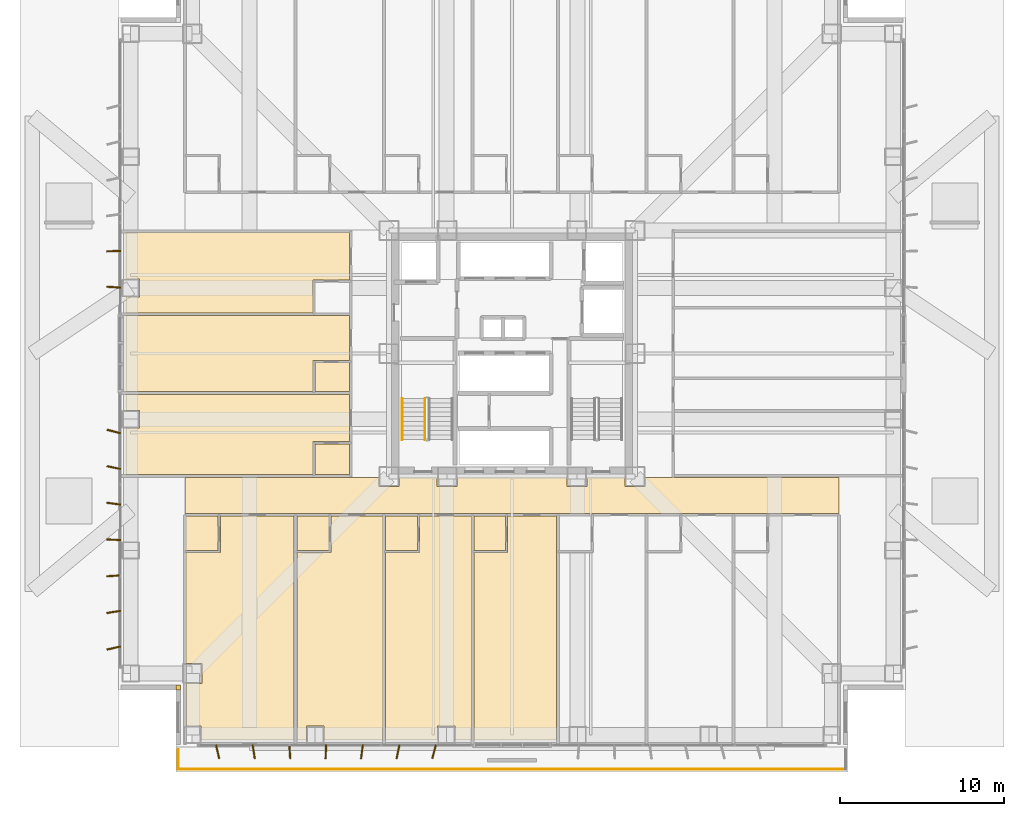
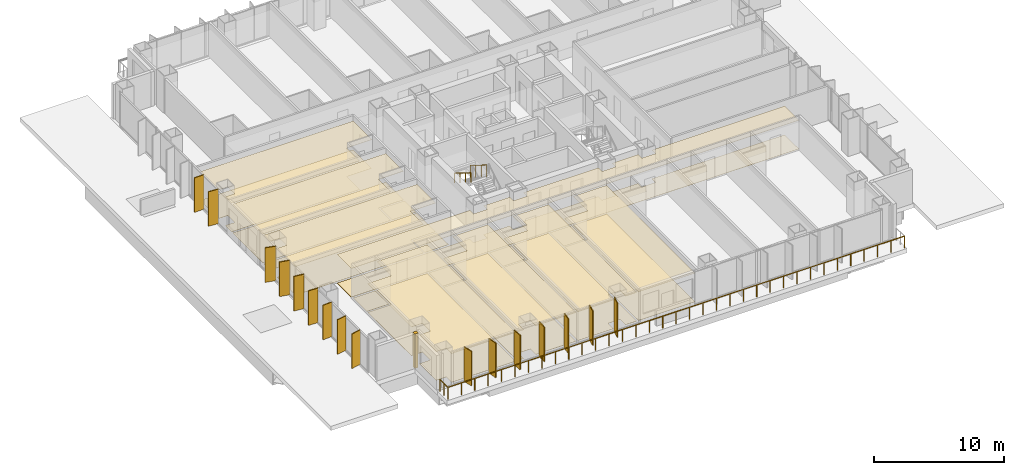
# One storey, part 20 of 24: 23 coverings, 16 shading devices, 4 railings.
"""IFC4 building model written with IfcOpenShell, lengths in metres."""

from ifc_helpers import new_model, si_unit, direction, frame, origin, origin_2d, place, context, subcontext, project, spatial, polyline, rectangle, circle, outline, extrude, material, layer, layer_set, type_object, element, save


model = new_model("IFC4")

# Units and contexts
model_context = context("Model", 3, precision=1e-05, world=origin(), true_north=direction((0.0, 1.0)))
body_context = subcontext(model_context, "Body", "Model", "MODEL_VIEW")
ifc_project = project(units=[si_unit("LENGTHUNIT", "METRE"), si_unit("AREAUNIT", "SQUARE_METRE"), si_unit("VOLUMEUNIT", "CUBIC_METRE"), si_unit("PLANEANGLEUNIT", "RADIAN"), si_unit("MASSUNIT", "GRAM", prefix="KILO")], contexts=[model_context])

# Site, building, storey
site_placement = place(None, origin())
site = spatial("IfcSite", under=ifc_project, at=site_placement, CompositionType="ELEMENT")
building_placement = place(site_placement, origin())
building = spatial("IfcBuilding", under=site, at=building_placement, Name="Trevonay Congress Spire", CompositionType="ELEMENT")
storey_placement = place(building_placement, frame((0.0, 0.0, 27.0)))
storey = spatial("IfcBuildingStorey", under=building, at=storey_placement, Name="L05", CompositionType="ELEMENT", Elevation=27.0)

# Coverings
ifc_material_1 = material(Name="Acoustic Mineral Fibre Board", Category="gypsum")
ifc_layer_1 = layer(ifc_material_1, 0.02490234375, Name="Acoustic Mineral Fibre Board")
ifc_layer_set_1 = layer_set([ifc_layer_1], Name="Acoustic Mineral Fibre Board")
covering_type_1 = type_object("IfcCoveringType", Name="COV-CEIL-ACOUSTIC", PredefinedType="CEILING", material=ifc_layer_set_1)
covering_1_placement = place(storey_placement, frame((0.0, 0.0, 2.699951171875)))
element("IfcCovering", 1, at=covering_1_placement, inside=storey, type_object=covering_type_1, Name="L05 Hotel Floor Corridor South acoustic suspended ceiling", PredefinedType="CEILING", context=body_context, shape_type="SweptSolid", body=[
    extrude(outline(polyline([(19.949951171875, -7.550048828125), (19.949951171875, -9.75), (-19.949951171875, -9.75), (-19.949951171875, -7.550048828125), (-8.110107421875, -7.550048828125), (-8.110107421875, -8.110107421875), (-6.889892578125, -8.110107421875), (-6.889892578125, -7.550048828125), (-4.56005859375, -7.550048828125), (-4.56005859375, -8.110107421875), (-3.340087890625, -8.110107421875), (-3.340087890625, -7.550048828125), (3.340087890625, -7.550048828125), (3.340087890625, -8.110107421875), (4.56005859375, -8.110107421875), (4.56005859375, -7.550048828125), (6.889892578125, -7.550048828125), (6.889892578125, -8.110107421875), (8.110107421875, -8.110107421875), (8.110107421875, -7.550048828125), (19.949951171875, -7.550048828125)])), origin(), (0.0, 0.0, 1.0), 0.025146484375),
])
covering_2_placement = place(storey_placement, frame((0.0, 0.0, 2.699951171875)))
element("IfcCovering", 2, at=covering_2_placement, inside=storey, type_object=covering_type_1, Name="L05 Corner Hotel Suite acoustic suspended ceiling", PredefinedType="CEILING", context=body_context, shape_type="SweptSolid", body=[
    extrude(outline(polyline([(-19.8701171875, -12.139892578125), (-17.780029296875, -12.139892578125), (-17.780029296875, -9.909912109375), (-13.280029296875, -9.909912109375), (-13.280029296875, -23.550048828125), (-18.965087890625, -23.550048828125), (-18.965087890625, -22.715087890625), (-19.8701171875, -22.715087890625), (-19.8701171875, -20.110107421875), (-18.889892578125, -20.110107421875), (-18.889892578125, -18.889892578125), (-19.8701171875, -18.889892578125), (-19.8701171875, -12.139892578125)])), origin(), (0.0, 0.0, 1.0), 0.025146484375),
])
covering_3_placement = place(storey_placement, frame((0.0, 0.0, 2.699951171875)))
element("IfcCovering", 3, at=covering_3_placement, inside=storey, type_object=covering_type_1, Name="L05 Hotel Guest Room acoustic suspended ceiling", PredefinedType="CEILING", context=body_context, shape_type="SweptSolid", body=[
    extrude(outline(polyline([(-13.1201171875, -23.550048828125), (-13.1201171875, -12.139892578125), (-11.030029296875, -12.139892578125), (-11.030029296875, -9.909912109375), (-7.8798828125, -9.909912109375), (-7.8798828125, -23.550048828125), (-11.465087890625, -23.550048828125), (-11.465087890625, -22.715087890625), (-12.534912109375, -22.715087890625), (-12.534912109375, -23.550048828125), (-13.1201171875, -23.550048828125)])), origin(), (0.0, 0.0, 1.0), 0.025146484375),
])
covering_4_placement = place(storey_placement, frame((0.0, 0.0, 2.699951171875)))
element("IfcCovering", 4, at=covering_4_placement, inside=storey, type_object=covering_type_1, Name="L05 Hotel Guest Room acoustic suspended ceiling", PredefinedType="CEILING", context=body_context, shape_type="SweptSolid", body=[
    extrude(outline(polyline([(-7.719970703125, -23.550048828125), (-7.719970703125, -12.139892578125), (-5.6298828125, -12.139892578125), (-5.6298828125, -9.909912109375), (-2.47998046875, -9.909912109375), (-2.47998046875, -23.550048828125), (-3.465087890625, -23.550048828125), (-3.465087890625, -22.715087890625), (-4.534912109375, -22.715087890625), (-4.534912109375, -23.550048828125), (-7.719970703125, -23.550048828125)])), origin(), (0.0, 0.0, 1.0), 0.025146484375),
])
covering_5_placement = place(storey_placement, frame((0.0, 0.0, 2.699951171875)))
element("IfcCovering", 5, at=covering_5_placement, inside=storey, type_object=covering_type_1, Name="L05 Hotel Guest Room acoustic suspended ceiling", PredefinedType="CEILING", context=body_context, shape_type="SweptSolid", body=[
    extrude(outline(polyline([(-2.320068359375, -23.550048828125), (2.719970703125, -23.550048828125), (2.719970703125, -9.909912109375), (-0.264892578125, -9.909912109375), (-0.264892578125, -12.139892578125), (-2.320068359375, -12.139892578125), (-2.320068359375, -23.550048828125)])), origin(), (0.0, 0.0, 1.0), 0.025146484375),
])
covering_6_placement = place(storey_placement, frame((0.0, 0.0, 2.699951171875)))
element("IfcCovering", 6, at=covering_6_placement, inside=storey, type_object=covering_type_1, Name="L05 Hotel Guest Room acoustic suspended ceiling", PredefinedType="CEILING", context=body_context, shape_type="SweptSolid", body=[
    extrude(outline(polyline([(-23.550048828125, -4.534912109375), (-22.715087890625, -4.534912109375), (-22.715087890625, -3.465087890625), (-23.550048828125, -3.465087890625), (-23.550048828125, -2.47998046875), (-9.909912109375, -2.47998046875), (-9.909912109375, -5.3720703125), (-12.139892578125, -5.3720703125), (-12.139892578125, -7.3701171875), (-23.550048828125, -7.3701171875), (-23.550048828125, -4.534912109375)])), origin(), (0.0, 0.0, 1.0), 0.025146484375),
])
covering_7_placement = place(storey_placement, frame((0.0, 0.0, 2.699951171875)))
element("IfcCovering", 7, at=covering_7_placement, inside=storey, type_object=covering_type_1, Name="L05 Corner Hotel Suite acoustic suspended ceiling", PredefinedType="CEILING", context=body_context, shape_type="SweptSolid", body=[
    extrude(outline(polyline([(-23.550048828125, -2.320068359375), (-23.550048828125, 2.320068359375), (-9.909912109375, 2.320068359375), (-9.909912109375, -0.4169921875), (-12.139892578125, -0.4169921875), (-12.139892578125, -2.320068359375), (-23.550048828125, -2.320068359375)])), origin(), (0.0, 0.0, 1.0), 0.025146484375),
])
covering_8_placement = place(storey_placement, frame((0.0, 0.0, 2.699951171875)))
element("IfcCovering", 8, at=covering_8_placement, inside=storey, type_object=covering_type_1, Name="L05 Hotel Guest Room acoustic suspended ceiling", PredefinedType="CEILING", context=body_context, shape_type="SweptSolid", body=[
    extrude(outline(polyline([(-23.550048828125, 3.465087890625), (-22.715087890625, 3.465087890625), (-22.715087890625, 4.534912109375), (-23.550048828125, 4.534912109375), (-23.550048828125, 7.3701171875), (-9.909912109375, 7.3701171875), (-9.909912109375, 4.47802734375), (-12.139892578125, 4.47802734375), (-12.139892578125, 2.47998046875), (-23.550048828125, 2.47998046875), (-23.550048828125, 3.465087890625)])), origin(), (0.0, 0.0, 1.0), 0.025146484375),
])
ifc_material_2 = material(Name="Polished Granite Floor Tile", Category="masonry")
ifc_layer_2 = layer(ifc_material_2, 0.02001953125, Name="Polished Granite Floor Tile")
ifc_layer_set_2 = layer_set([ifc_layer_2], Name="Polished Granite Floor Tile")
covering_type_2 = type_object("IfcCoveringType", Name="COV-FLOOR-STONE", PredefinedType="FLOORING", material=ifc_layer_set_2)
covering_9_placement = place(storey_placement, origin())
element("IfcCovering", 9, at=covering_9_placement, inside=storey, type_object=covering_type_2, Name="L05 Hotel Floor Corridor South floor finish", PredefinedType="FLOORING", context=body_context, shape_type="SweptSolid", body=[
    extrude(outline(polyline([(19.949951171875, -7.550048828125), (19.949951171875, -9.75), (-19.949951171875, -9.75), (-19.949951171875, -7.550048828125), (-8.110107421875, -7.550048828125), (-8.110107421875, -8.110107421875), (-6.889892578125, -8.110107421875), (-6.889892578125, -7.550048828125), (-4.56005859375, -7.550048828125), (-4.56005859375, -8.110107421875), (-3.340087890625, -8.110107421875), (-3.340087890625, -7.550048828125), (3.340087890625, -7.550048828125), (3.340087890625, -8.110107421875), (4.56005859375, -8.110107421875), (4.56005859375, -7.550048828125), (6.889892578125, -7.550048828125), (6.889892578125, -8.110107421875), (8.110107421875, -8.110107421875), (8.110107421875, -7.550048828125), (19.949951171875, -7.550048828125)])), origin(), (0.0, 0.0, 1.0), 0.02001953125),
])
covering_10_placement = place(storey_placement, origin())
element("IfcCovering", 10, at=covering_10_placement, inside=storey, type_object=covering_type_2, Name="L05 En-suite Bathroom floor finish", PredefinedType="FLOORING", context=body_context, shape_type="SweptSolid", body=[
    extrude(outline(polyline([(-19.8701171875, -12.02001953125), (-17.919921875, -12.02001953125), (-17.919921875, -9.909912109375), (-19.8701171875, -9.909912109375), (-19.8701171875, -12.02001953125)])), origin(), (0.0, 0.0, 1.0), 0.02001953125),
])
covering_11_placement = place(storey_placement, origin())
element("IfcCovering", 11, at=covering_11_placement, inside=storey, type_object=covering_type_2, Name="L05 En-suite Bathroom floor finish", PredefinedType="FLOORING", context=body_context, shape_type="SweptSolid", body=[
    extrude(outline(polyline([(-13.1201171875, -12.02001953125), (-11.169921875, -12.02001953125), (-11.169921875, -9.909912109375), (-13.1201171875, -9.909912109375), (-13.1201171875, -12.02001953125)])), origin(), (0.0, 0.0, 1.0), 0.02001953125),
])
covering_12_placement = place(storey_placement, origin())
element("IfcCovering", 12, at=covering_12_placement, inside=storey, type_object=covering_type_2, Name="L05 En-suite Bathroom floor finish", PredefinedType="FLOORING", context=body_context, shape_type="SweptSolid", body=[
    extrude(outline(polyline([(-7.719970703125, -12.02001953125), (-5.77001953125, -12.02001953125), (-5.77001953125, -9.909912109375), (-7.719970703125, -9.909912109375), (-7.719970703125, -12.02001953125)])), origin(), (0.0, 0.0, 1.0), 0.02001953125),
])
covering_13_placement = place(storey_placement, origin())
element("IfcCovering", 13, at=covering_13_placement, inside=storey, type_object=covering_type_2, Name="L05 En-suite Bathroom floor finish", PredefinedType="FLOORING", context=body_context, shape_type="SweptSolid", body=[
    extrude(outline(polyline([(-2.320068359375, -12.02001953125), (-0.405029296875, -12.02001953125), (-0.405029296875, -9.909912109375), (-2.320068359375, -9.909912109375), (-2.320068359375, -12.02001953125)])), origin(), (0.0, 0.0, 1.0), 0.02001953125),
])
covering_14_placement = place(storey_placement, origin())
element("IfcCovering", 14, at=covering_14_placement, inside=storey, type_object=covering_type_2, Name="L05 En-suite Bathroom floor finish", PredefinedType="FLOORING", context=body_context, shape_type="SweptSolid", body=[
    extrude(outline(polyline([(-12.02001953125, -7.3701171875), (-9.909912109375, -7.3701171875), (-9.909912109375, -5.511962890625), (-12.02001953125, -5.511962890625), (-12.02001953125, -7.3701171875)])), origin(), (0.0, 0.0, 1.0), 0.02001953125),
])
covering_15_placement = place(storey_placement, origin())
element("IfcCovering", 15, at=covering_15_placement, inside=storey, type_object=covering_type_2, Name="L05 En-suite Bathroom floor finish", PredefinedType="FLOORING", context=body_context, shape_type="SweptSolid", body=[
    extrude(outline(polyline([(-12.02001953125, -2.320068359375), (-9.909912109375, -2.320068359375), (-9.909912109375, -0.556884765625), (-12.02001953125, -0.556884765625), (-12.02001953125, -2.320068359375)])), origin(), (0.0, 0.0, 1.0), 0.02001953125),
])
ifc_material_3 = material(Name="Engineered Oak Flooring", Category="wood")
ifc_layer_3 = layer(ifc_material_3, 0.01806640625, Name="Engineered Oak Flooring")
ifc_layer_set_3 = layer_set([ifc_layer_3], Name="Engineered Oak Flooring")
covering_type_3 = type_object("IfcCoveringType", Name="COV-FLOOR-TIMBER", PredefinedType="FLOORING", material=ifc_layer_set_3)
covering_16_placement = place(storey_placement, origin())
element("IfcCovering", 16, at=covering_16_placement, inside=storey, type_object=covering_type_3, Name="L05 Corner Hotel Suite floor finish", PredefinedType="FLOORING", context=body_context, shape_type="SweptSolid", body=[
    extrude(outline(polyline([(-19.8701171875, -12.139892578125), (-17.780029296875, -12.139892578125), (-17.780029296875, -9.909912109375), (-13.280029296875, -9.909912109375), (-13.280029296875, -23.550048828125), (-18.965087890625, -23.550048828125), (-18.965087890625, -22.715087890625), (-19.8701171875, -22.715087890625), (-19.8701171875, -20.110107421875), (-18.889892578125, -20.110107421875), (-18.889892578125, -18.889892578125), (-19.8701171875, -18.889892578125), (-19.8701171875, -12.139892578125)])), origin(), (0.0, 0.0, 1.0), 0.01806640625),
])
covering_17_placement = place(storey_placement, origin())
element("IfcCovering", 17, at=covering_17_placement, inside=storey, type_object=covering_type_3, Name="L05 Hotel Guest Room floor finish", PredefinedType="FLOORING", context=body_context, shape_type="SweptSolid", body=[
    extrude(outline(polyline([(-13.1201171875, -23.550048828125), (-13.1201171875, -12.139892578125), (-11.030029296875, -12.139892578125), (-11.030029296875, -9.909912109375), (-7.8798828125, -9.909912109375), (-7.8798828125, -23.550048828125), (-11.465087890625, -23.550048828125), (-11.465087890625, -22.715087890625), (-12.534912109375, -22.715087890625), (-12.534912109375, -23.550048828125), (-13.1201171875, -23.550048828125)])), origin(), (0.0, 0.0, 1.0), 0.01806640625),
])
covering_18_placement = place(storey_placement, origin())
element("IfcCovering", 18, at=covering_18_placement, inside=storey, type_object=covering_type_3, Name="L05 Hotel Guest Room floor finish", PredefinedType="FLOORING", context=body_context, shape_type="SweptSolid", body=[
    extrude(outline(polyline([(-7.719970703125, -23.550048828125), (-7.719970703125, -12.139892578125), (-5.6298828125, -12.139892578125), (-5.6298828125, -9.909912109375), (-2.47998046875, -9.909912109375), (-2.47998046875, -23.550048828125), (-3.465087890625, -23.550048828125), (-3.465087890625, -22.715087890625), (-4.534912109375, -22.715087890625), (-4.534912109375, -23.550048828125), (-7.719970703125, -23.550048828125)])), origin(), (0.0, 0.0, 1.0), 0.01806640625),
])
covering_19_placement = place(storey_placement, origin())
element("IfcCovering", 19, at=covering_19_placement, inside=storey, type_object=covering_type_3, Name="L05 Hotel Guest Room floor finish", PredefinedType="FLOORING", context=body_context, shape_type="SweptSolid", body=[
    extrude(outline(polyline([(-2.320068359375, -23.550048828125), (2.719970703125, -23.550048828125), (2.719970703125, -9.909912109375), (-0.264892578125, -9.909912109375), (-0.264892578125, -12.139892578125), (-2.320068359375, -12.139892578125), (-2.320068359375, -23.550048828125)])), origin(), (0.0, 0.0, 1.0), 0.01806640625),
])
covering_20_placement = place(storey_placement, origin())
element("IfcCovering", 20, at=covering_20_placement, inside=storey, type_object=covering_type_3, Name="L05 Hotel Guest Room floor finish", PredefinedType="FLOORING", context=body_context, shape_type="SweptSolid", body=[
    extrude(outline(polyline([(-23.550048828125, -4.534912109375), (-22.715087890625, -4.534912109375), (-22.715087890625, -3.465087890625), (-23.550048828125, -3.465087890625), (-23.550048828125, -2.47998046875), (-9.909912109375, -2.47998046875), (-9.909912109375, -5.3720703125), (-12.139892578125, -5.3720703125), (-12.139892578125, -7.3701171875), (-23.550048828125, -7.3701171875), (-23.550048828125, -4.534912109375)])), origin(), (0.0, 0.0, 1.0), 0.01806640625),
])
covering_21_placement = place(storey_placement, origin())
element("IfcCovering", 21, at=covering_21_placement, inside=storey, type_object=covering_type_3, Name="L05 Corner Hotel Suite floor finish", PredefinedType="FLOORING", context=body_context, shape_type="SweptSolid", body=[
    extrude(outline(polyline([(-23.550048828125, -2.320068359375), (-23.550048828125, 2.320068359375), (-9.909912109375, 2.320068359375), (-9.909912109375, -0.4169921875), (-12.139892578125, -0.4169921875), (-12.139892578125, -2.320068359375), (-23.550048828125, -2.320068359375)])), origin(), (0.0, 0.0, 1.0), 0.01806640625),
])
covering_22_placement = place(storey_placement, origin())
element("IfcCovering", 22, at=covering_22_placement, inside=storey, type_object=covering_type_3, Name="L05 Hotel Guest Room floor finish", PredefinedType="FLOORING", context=body_context, shape_type="SweptSolid", body=[
    extrude(outline(polyline([(-23.550048828125, 3.465087890625), (-22.715087890625, 3.465087890625), (-22.715087890625, 4.534912109375), (-23.550048828125, 4.534912109375), (-23.550048828125, 7.3701171875), (-9.909912109375, 7.3701171875), (-9.909912109375, 4.47802734375), (-12.139892578125, 4.47802734375), (-12.139892578125, 2.47998046875), (-23.550048828125, 2.47998046875), (-23.550048828125, 3.465087890625)])), origin(), (0.0, 0.0, 1.0), 0.01806640625),
])
ifc_material_4 = material(Name="Pale Anodised Aluminium EN AW-6063-T6", Category="aluminium")
ifc_layer_4 = layer(ifc_material_4, 0.0400390625, Name="Pale Anodised Aluminium EN AW-6063-T6")
ifc_layer_set_4 = layer_set([ifc_layer_4], Name="Pale Anodised Aluminium EN AW-6063-T6")
covering_type_4 = type_object("IfcCoveringType", Name="COV-SPANDREL-PALE-METAL", PredefinedType="CLADDING", material=ifc_layer_set_4)
covering_23_placement = place(storey_placement, origin())
element("IfcCovering", 23, at=covering_23_placement, inside=storey, type_object=covering_type_4, Name="L05 SW re-entrant notch corner closure trim", PredefinedType="CLADDING", context=body_context, shape_type="SweptSolid", body=[
    extrude(outline(polyline([(-20.5, -20.5), (-20.199951171875, -20.5), (-20.199951171875, -20.199951171875), (-20.5, -20.199951171875), (-20.5, -20.5)])), origin(), (0.0, 0.0, 1.0), 3.25),
])

# Railings
railing_type_1 = type_object("IfcRailingType", Name="RAL-EXT-GUARD-115", PredefinedType="GUARDRAIL", material=ifc_material_4)
railing_1_placement = place(storey_placement, frame((-20.35009765625, -25.35009765625, 0.0)))
element("IfcRailing", 24, at=railing_1_placement, inside=storey, type_object=railing_type_1, Name="L05 perimeter safety guard GRD-L05-TER-S-1", PredefinedType="GUARDRAIL", context=body_context, shape_type="SweptSolid", body=[
    extrude(circle(Radius=0.02392578125, at=origin_2d()), frame((0.0, 0.0, 1.1259765625), z_axis=(1.0, 0.0, 0.0), x_axis=(0.0, 1.0, 0.0)), (0.0, 0.0, 1.0), 40.7001953125),
    extrude(circle(Radius=0.02099609375, at=origin_2d()), origin(), (0.0, 0.0, 1.0), 1.101806640625),
    extrude(circle(Radius=0.02099609375, at=origin_2d()), frame((1.197021484375, 0.0, 0.0)), (0.0, 0.0, 1.0), 1.101806640625),
    extrude(circle(Radius=0.02099609375, at=origin_2d()), frame((2.39404296875, 0.0, 0.0)), (0.0, 0.0, 1.0), 1.101806640625),
    extrude(circle(Radius=0.02099609375, at=origin_2d()), frame((3.59130859375, 0.0, 0.0)), (0.0, 0.0, 1.0), 1.101806640625),
    extrude(circle(Radius=0.02099609375, at=origin_2d()), frame((4.788330078125, 0.0, 0.0)), (0.0, 0.0, 1.0), 1.101806640625),
    extrude(circle(Radius=0.02099609375, at=origin_2d()), frame((5.9853515625, 0.0, 0.0)), (0.0, 0.0, 1.0), 1.101806640625),
    extrude(circle(Radius=0.02099609375, at=origin_2d()), frame((7.182373046875, 0.0, 0.0)), (0.0, 0.0, 1.0), 1.101806640625),
    extrude(circle(Radius=0.02099609375, at=origin_2d()), frame((8.37939453125, 0.0, 0.0)), (0.0, 0.0, 1.0), 1.101806640625),
    extrude(circle(Radius=0.02099609375, at=origin_2d()), frame((9.576416015625, 0.0, 0.0)), (0.0, 0.0, 1.0), 1.101806640625),
    extrude(circle(Radius=0.02099609375, at=origin_2d()), frame((10.773681640625, 0.0, 0.0)), (0.0, 0.0, 1.0), 1.101806640625),
    extrude(circle(Radius=0.02099609375, at=origin_2d()), frame((11.970703125, 0.0, 0.0)), (0.0, 0.0, 1.0), 1.101806640625),
    extrude(circle(Radius=0.02099609375, at=origin_2d()), frame((13.167724609375, 0.0, 0.0)), (0.0, 0.0, 1.0), 1.101806640625),
    extrude(circle(Radius=0.02099609375, at=origin_2d()), frame((14.36474609375, 0.0, 0.0)), (0.0, 0.0, 1.0), 1.101806640625),
    extrude(circle(Radius=0.02099609375, at=origin_2d()), frame((15.561767578125, 0.0, 0.0)), (0.0, 0.0, 1.0), 1.101806640625),
    extrude(circle(Radius=0.02099609375, at=origin_2d()), frame((16.7587890625, 0.0, 0.0)), (0.0, 0.0, 1.0), 1.101806640625),
    extrude(circle(Radius=0.02099609375, at=origin_2d()), frame((17.9560546875, 0.0, 0.0)), (0.0, 0.0, 1.0), 1.101806640625),
    extrude(circle(Radius=0.02099609375, at=origin_2d()), frame((19.153076171875, 0.0, 0.0)), (0.0, 0.0, 1.0), 1.101806640625),
    extrude(circle(Radius=0.02099609375, at=origin_2d()), frame((20.35009765625, 0.0, 0.0)), (0.0, 0.0, 1.0), 1.101806640625),
    extrude(circle(Radius=0.02099609375, at=origin_2d()), frame((21.547119140625, 0.0, 0.0)), (0.0, 0.0, 1.0), 1.101806640625),
    extrude(circle(Radius=0.02099609375, at=origin_2d()), frame((22.744140625, 0.0, 0.0)), (0.0, 0.0, 1.0), 1.101806640625),
    extrude(circle(Radius=0.02099609375, at=origin_2d()), frame((23.94140625, 0.0, 0.0)), (0.0, 0.0, 1.0), 1.101806640625),
    extrude(circle(Radius=0.02099609375, at=origin_2d()), frame((25.138427734375, 0.0, 0.0)), (0.0, 0.0, 1.0), 1.101806640625),
    extrude(circle(Radius=0.02099609375, at=origin_2d()), frame((26.33544921875, 0.0, 0.0)), (0.0, 0.0, 1.0), 1.101806640625),
    extrude(circle(Radius=0.02099609375, at=origin_2d()), frame((27.532470703125, 0.0, 0.0)), (0.0, 0.0, 1.0), 1.101806640625),
    extrude(circle(Radius=0.02099609375, at=origin_2d()), frame((28.7294921875, 0.0, 0.0)), (0.0, 0.0, 1.0), 1.101806640625),
    extrude(circle(Radius=0.02099609375, at=origin_2d()), frame((29.926513671875, 0.0, 0.0)), (0.0, 0.0, 1.0), 1.101806640625),
    extrude(circle(Radius=0.02099609375, at=origin_2d()), frame((31.123779296875, 0.0, 0.0)), (0.0, 0.0, 1.0), 1.101806640625),
    extrude(circle(Radius=0.02099609375, at=origin_2d()), frame((32.32080078125, 0.0, 0.0)), (0.0, 0.0, 1.0), 1.101806640625),
    extrude(circle(Radius=0.02099609375, at=origin_2d()), frame((33.517822265625, 0.0, 0.0)), (0.0, 0.0, 1.0), 1.101806640625),
    extrude(circle(Radius=0.02099609375, at=origin_2d()), frame((34.71484375, 0.0, 0.0)), (0.0, 0.0, 1.0), 1.101806640625),
    extrude(circle(Radius=0.02099609375, at=origin_2d()), frame((35.911865234375, 0.0, 0.0)), (0.0, 0.0, 1.0), 1.101806640625),
    extrude(circle(Radius=0.02099609375, at=origin_2d()), frame((37.10888671875, 0.0, 0.0)), (0.0, 0.0, 1.0), 1.101806640625),
    extrude(circle(Radius=0.02099609375, at=origin_2d()), frame((38.30615234375, 0.0, 0.0)), (0.0, 0.0, 1.0), 1.101806640625),
    extrude(circle(Radius=0.02099609375, at=origin_2d()), frame((39.503173828125, 0.0, 0.0)), (0.0, 0.0, 1.0), 1.101806640625),
    extrude(circle(Radius=0.02099609375, at=origin_2d()), frame((40.7001953125, 0.0, 0.0)), (0.0, 0.0, 1.0), 1.101806640625),
])
railing_2_placement = place(storey_placement, frame((-20.35009765625, -24.14990234375, 0.0)))
element("IfcRailing", 25, at=railing_2_placement, inside=storey, type_object=railing_type_1, Name="L05 perimeter safety guard GRD-L05-TER-S-4", PredefinedType="GUARDRAIL", context=body_context, shape_type="SweptSolid", body=[
    extrude(circle(Radius=0.02392578125, at=origin_2d()), frame((0.0, 0.0, 1.1259765625), z_axis=(0.0, -1.0, 0.0), x_axis=(1.0, 0.0, 0.0)), (0.0, 0.0, 1.0), 1.2001953125),
    extrude(circle(Radius=0.02099609375, at=origin_2d()), origin(), (0.0, 0.0, 1.0), 1.101806640625),
    extrude(circle(Radius=0.02099609375, at=origin_2d()), frame((0.0, -0.60009765625, 0.0)), (0.0, 0.0, 1.0), 1.101806640625),
    extrude(circle(Radius=0.02099609375, at=origin_2d()), frame((0.0, -1.2001953125, 0.0)), (0.0, 0.0, 1.0), 1.101806640625),
])
railing_type_2 = type_object("IfcRailingType", Name="RAL-STAIR-GUARD-110", PredefinedType="GUARDRAIL", material=ifc_material_4)
railing_3_placement = place(storey_placement, frame((-5.300048828125, -2.72998046875, 1.925048828125)))
element("IfcRailing", 26, at=railing_3_placement, inside=storey, type_object=railing_type_2, Name="L05 ST-1 stair guard 3", PredefinedType="GUARDRAIL", context=body_context, shape_type="SweptSolid", body=[
    extrude(circle(Radius=0.02392578125, at=origin_2d()), frame((0.0, 0.0, 1.1259765625), z_axis=(0.0, -0.848007534815, 0.529984170421), x_axis=(1.0, 0.0, 0.0)), (0.0, 0.0, 1.0), 2.9716796875),
    extrude(circle(Radius=0.02099609375, at=origin_2d()), origin(), (0.0, 0.0, 1.0), 1.101806640625),
    extrude(circle(Radius=0.02099609375, at=origin_2d()), frame((0.0, -0.840087890625, 0.52490234375)), (0.0, 0.0, 1.0), 1.101806640625),
    extrude(circle(Radius=0.02099609375, at=origin_2d()), frame((0.0, -1.679931640625, 1.050048828125)), (0.0, 0.0, 1.0), 1.101806640625),
    extrude(circle(Radius=0.02099609375, at=origin_2d()), frame((0.0, -2.52001953125, 1.574951171875)), (0.0, 0.0, 1.0), 1.101806640625),
])
railing_type_3 = type_object("IfcRailingType", Name="RAL-STAIR-HANDRAIL", PredefinedType="HANDRAIL", material=ifc_material_4)
railing_4_placement = place(storey_placement, frame((-6.699951171875, -2.72998046875, 1.925048828125)))
element("IfcRailing", 27, at=railing_4_placement, inside=storey, type_object=railing_type_3, Name="L05 ST-1 stair handrail 2", PredefinedType="HANDRAIL", context=body_context, shape_type="SweptSolid", body=[
    extrude(circle(Radius=0.02392578125, at=origin_2d()), frame((0.0, 0.0, 0.8759765625), z_axis=(0.0, -0.848007534815, 0.529984170421), x_axis=(1.0, 0.0, 0.0)), (0.0, 0.0, 1.0), 2.9716796875),
    extrude(circle(Radius=0.02099609375, at=origin_2d()), origin(), (0.0, 0.0, 1.0), 0.851806640625),
    extrude(circle(Radius=0.02099609375, at=origin_2d()), frame((0.0, -0.840087890625, 0.52490234375)), (0.0, 0.0, 1.0), 0.851806640625),
    extrude(circle(Radius=0.02099609375, at=origin_2d()), frame((0.0, -1.679931640625, 1.050048828125)), (0.0, 0.0, 1.0), 0.851806640625),
    extrude(circle(Radius=0.02099609375, at=origin_2d()), frame((0.0, -2.52001953125, 1.574951171875)), (0.0, 0.0, 1.0), 0.851806640625),
])

# Shading devices
shading_device_type = type_object("IfcShadingDeviceType", Name="SHD-FIN-Z1-PALE-METAL", PredefinedType="USERDEFINED", material=ifc_material_4)
for number, where, z_axis, x_axis, name in (
    (28, (-17.949951171875, -24.280029296875, 0.0), (0.0, 0.0, 1.0), (0.97440931131, 0.224780991261, 0.0), "L05 S vertical pale-metal solar fin 1"),
    (29, (-15.75, -24.280029296875, 0.0), (0.0, 0.0, 1.0), (0.987330860032, 0.158675054211, 0.0), "L05 S vertical pale-metal solar fin 2"),
    (30, (-13.550048828125, -24.280029296875, 0.0), (0.0, 0.0, 1.0), (0.997707959868, 0.067667029017, 0.0), "L05 S vertical pale-metal solar fin 3"),
    (31, (-11.35009765625, -24.280029296875, 0.0), (0.0, 0.0, 1.0), (0.999414947917, -0.034201781837, 0.0), "L05 S vertical pale-metal solar fin 4"),
    (32, (-9.14990234375, -24.280029296875, 0.0), (0.0, 0.0, 1.0), (0.991444861374, -0.13052619222, 0.0), "L05 S vertical pale-metal solar fin 5"),
    (33, (-6.949951171875, -24.280029296875, 0.0), (0.0, 0.0, 1.0), (0.978508985102, -0.206204185397, 0.0), "L05 S vertical pale-metal solar fin 6"),
    (34, (-4.75, -24.280029296875, 0.0), (0.0, 0.0, 1.0), (0.968191325187, -0.250211026602, 0.0), "L05 S vertical pale-metal solar fin 7"),
    (35, (-24.280029296875, -17.949951171875, 0.0), (0.0, 0.0, 1.0), (-0.224780991261, 0.97440931131, 0.0), "L05 W vertical pale-metal solar fin 1"),
    (36, (-24.280029296875, -15.75, 0.0), (0.0, 0.0, 1.0), (-0.158675054211, 0.987330860032, 0.0), "L05 W vertical pale-metal solar fin 2"),
    (37, (-24.280029296875, -13.550048828125, 0.0), (0.0, 0.0, 1.0), (-0.067667029017, 0.997707959868, 0.0), "L05 W vertical pale-metal solar fin 3"),
    (38, (-24.280029296875, -11.35009765625, 0.0), (0.0, 0.0, 1.0), (0.034201781837, 0.999414947917, 0.0), "L05 W vertical pale-metal solar fin 4"),
    (39, (-24.280029296875, -9.14990234375, 0.0), (0.0, 0.0, 1.0), (0.13052619222, 0.991444861374, 0.0), "L05 W vertical pale-metal solar fin 5"),
    (40, (-24.280029296875, -6.949951171875, 0.0), (0.0, 0.0, 1.0), (0.206204185397, 0.978508985102, 0.0), "L05 W vertical pale-metal solar fin 6"),
    (41, (-24.280029296875, -4.75, 0.0), (0.0, 0.0, 1.0), (0.250211026602, 0.968191325187, 0.0), "L05 W vertical pale-metal solar fin 7"),
    (42, (-24.280029296875, 4.050048828125, 0.0), (0.0, 0.0, 1.0), (0.067667029017, 0.997707959868, 0.0), "L05 W vertical pale-metal solar fin 11"),
    (43, (-24.280029296875, 6.25, 0.0), (0.0, 0.0, 1.0), (-0.034201781837, 0.999414947917, 0.0), "L05 W vertical pale-metal solar fin 12"),
):
    element("IfcShadingDevice", number, at=place(storey_placement, frame(where, z_axis=z_axis, x_axis=x_axis)), inside=storey, type_object=shading_device_type, Name=name, ObjectType="SOLAR FIN", PredefinedType="USERDEFINED", context=body_context, shape_type="SweptSolid", body=[
        extrude(rectangle(XDim=0.080078125, YDim=0.85009765625, at=origin_2d()), origin(), (0.0, 0.0, 1.0), 3.25),
    ])

save(model, "model.ifc")
